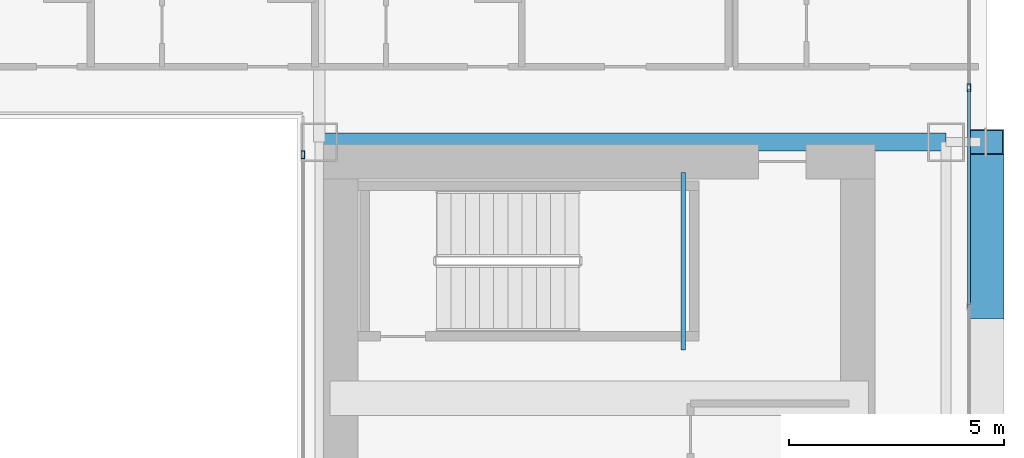
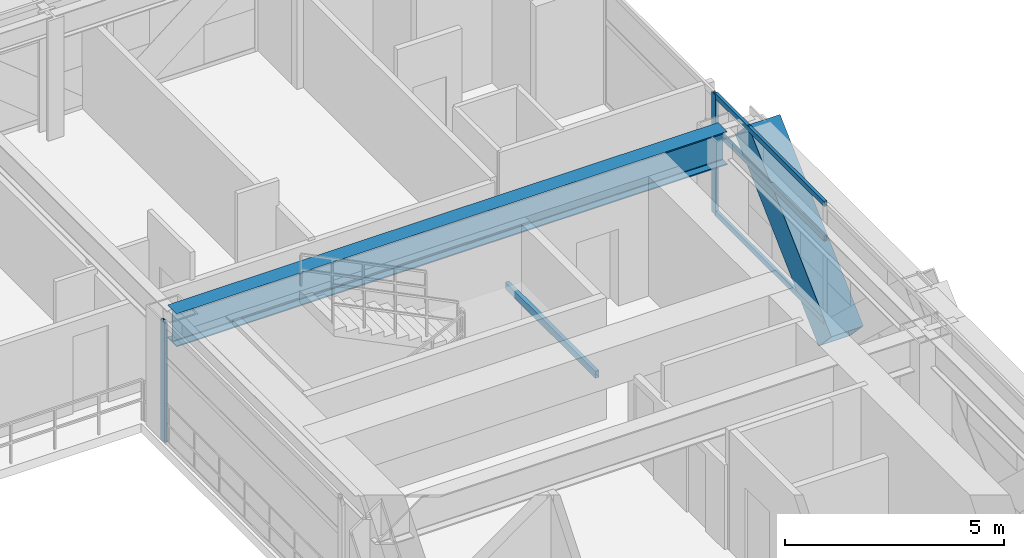
# One storey, part 23 of 41: 6 members, 2 beams, 2 elements without a shape of their own.
"""IFC4 building model written with IfcOpenShell, lengths in metres."""

from ifc_helpers import new_model, si_unit, direction, frame, origin, origin_2d, place, context, subcontext, project, spatial, hollow_rectangle, i_section, extrude, source, transform, mapped, material, layer, layer_set, material_profile, profile_set, type_object, element, aggregate, save


model = new_model("IFC4")

# Units and contexts
model_context = context("Model", 3, precision=1e-05, world=origin(), true_north=direction((0.0, 1.0)))
body_context = subcontext(model_context, "Body", "Model", "MODEL_VIEW")
ifc_project = project(units=[si_unit("LENGTHUNIT", "METRE"), si_unit("AREAUNIT", "SQUARE_METRE"), si_unit("VOLUMEUNIT", "CUBIC_METRE"), si_unit("PLANEANGLEUNIT", "RADIAN"), si_unit("MASSUNIT", "GRAM", prefix="KILO")], contexts=[model_context])

# Site, building, storey
site_placement = place(None, origin())
site = spatial("IfcSite", under=ifc_project, at=site_placement, CompositionType="ELEMENT")
building_placement = place(site_placement, origin())
building = spatial("IfcBuilding", under=site, at=building_placement, Name="Ocotamira Hotel", CompositionType="ELEMENT")
storey_placement = place(building_placement, frame((0.0, 0.0, 67.199951171875)))
storey = spatial("IfcBuildingStorey", under=building, at=storey_placement, Name="L16", CompositionType="ELEMENT", Elevation=67.199951171875)

# Beams
ifc_material_1 = material(Name="Steel ASTM A500 Grade C", Category="steel")
ifc_material_profile_1 = material_profile(ifc_material_1, hollow_rectangle(XDim=0.10009765625, YDim=0.199951171875, WallThickness=0.008056640625, at=origin_2d()), Name="HSS200X100X8")
ifc_profile_set_1 = profile_set([ifc_material_profile_1], Name="Steel ASTM A500 Grade C")
beam_type_1 = type_object("IfcBeamType", Name="BM-STLDG-HSS200", PredefinedType="BEAM", material=ifc_profile_set_1)
shared_shape_1 = source(origin(), body_context, "Body", "SweptSolid", [
    extrude(hollow_rectangle(XDim=0.10009765625, YDim=0.199951171875, WallThickness=0.008056640625, at=origin_2d()), origin(), (0.0, 0.0, 1.0), 4.1201171875),
])
beam_1_placement = place(storey_placement, frame((48.949951171875, 32.6298828125, 1.5), z_axis=(0.0, 1.0, 0.0), x_axis=(-1.0, 0.0, 0.0)))
element("IfcBeam", 1, at=beam_1_placement, inside=storey, type_object=beam_type_1, Name="L16 Stair ST-4 Landing Bearer 1", PredefinedType="BEAM", context=body_context, shape_type="MappedRepresentation", body=[
    mapped(shared_shape_1, transform((0.0, 0.0, 0.0), scale=1.0)),
])
ifc_material_2 = material(Name="Steel ASTM A992 Grade 50", Category="steel")
ifc_material_profile_2 = material_profile(ifc_material_2, i_section(OverallWidth=0.41796875, OverallDepth=0.927001953125, WebThickness=0.019287109375, FlangeThickness=0.031982421875, FilletRadius=0.02392578125, at=origin_2d()), Name="W36X231")
ifc_profile_set_2 = profile_set([ifc_material_profile_2], Name="Steel ASTM A992 Grade 50")
beam_type_2 = type_object("IfcBeamType", Name="BM-GIRD-W36X231", PredefinedType="BEAM", material=ifc_profile_set_2)
shared_shape_2 = source(origin(), body_context, "Body", "SweptSolid", [
    extrude(i_section(OverallWidth=0.41796875, OverallDepth=0.927001953125, WebThickness=0.019287109375, FlangeThickness=0.031982421875, FilletRadius=0.02392578125, at=origin_2d()), origin(), (0.0, 0.0, 1.0), 14.550048828125),
])
beam_2_placement = place(storey_placement, frame((40.5, 37.449951171875, 2.886474609375), z_axis=(1.0, 0.0, 0.0), x_axis=(0.0, 1.0, 0.0)))
element("IfcBeam", 2, at=beam_2_placement, inside=storey, type_object=beam_type_2, Name="L16 Girder Y37.45 X40.5-55.05", PredefinedType="BEAM", context=body_context, shape_type="MappedRepresentation", body=[
    mapped(shared_shape_2, transform((0.0, 0.0, 0.0), scale=1.0)),
])

# Member
ifc_material_3 = material(Name="Pale-metal coated steel ASTM A913 Grade 65", Category="steel")
ifc_material_profile_3 = material_profile(ifc_material_3, hollow_rectangle(XDim=0.85009765625, YDim=0.85009765625, WallThickness=0.035888671875, at=origin_2d()), Name="BOX850X850X36")
ifc_profile_set_3 = profile_set([ifc_material_profile_3], Name="Pale-metal coated steel ASTM A913 Grade 65")
member_type_1 = type_object("IfcMemberType", Name="MEM-EXO-BOX850", PredefinedType="BRACE", material=ifc_profile_set_3)
shared_shape_3 = source(origin(), body_context, "Body", "SweptSolid", [
    extrude(hollow_rectangle(XDim=0.85009765625, YDim=0.85009765625, WallThickness=0.035888671875, at=origin_2d()), origin(), (0.0, 0.0, 1.0), 5.24658203125),
])
member_1_placement = place(storey_placement, frame((55.969970703125, 33.63330078125, -0.5), z_axis=(0.0, 0.727442733726, 0.686168397078), x_axis=(-1.0, 0.0, 0.0)))
element("IfcMember", 3, at=member_1_placement, inside=storey, type_object=member_type_1, Name="L16 Exoskeleton Diagrid E2.2", PredefinedType="BRACE", context=body_context, shape_type="MappedRepresentation", body=[
    mapped(shared_shape_3, transform((0.0, 0.0, 0.0), scale=1.0)),
])

# Curtain wall, members
ifc_material_4 = material(Name="Anodised pale-metal aluminium and solar glass", Category="aluminium")
ifc_layer_1 = layer(ifc_material_4, 0.179931640625)
ifc_layer_set_1 = layer_set([ifc_layer_1], Name="Anodised pale-metal aluminium and solar glass")
curtain_wall_type_1 = type_object("IfcCurtainWallType", Name="CW-SYS2-Z1", PredefinedType="NOTDEFINED", material=ifc_layer_set_1)
curtain_wall_1_placement = place(storey_placement, origin())
curtain_wall_1 = element("IfcCurtainWall", 4, at=curtain_wall_1_placement, inside=storey, type_object=curtain_wall_type_1, Name="L16 Curtain Wall CW-2 CW-L16-E", PredefinedType="NOTDEFINED")
ifc_material_5 = material(Name="Anodised pale-metal aluminium 6063-T6", Category="aluminium")
ifc_material_profile_4 = material_profile(ifc_material_5, hollow_rectangle(XDim=0.074951171875, YDim=0.14990234375, WallThickness=0.006103515625, at=origin_2d()), Name="HSS150X75X6")
ifc_profile_set_4 = profile_set([ifc_material_profile_4], Name="Anodised pale-metal aluminium 6063-T6")
member_type_2 = type_object("IfcMemberType", Name="CWT-150X75", PredefinedType="USERDEFINED", material=ifc_profile_set_4)
shared_shape_4 = source(origin(), body_context, "Body", "SweptSolid", [
    extrude(hollow_rectangle(XDim=0.074951171875, YDim=0.14990234375, WallThickness=0.006103515625, at=origin_2d()), origin(), (0.0, 0.0, 1.0), 5.005859375),
])
member_2_placement = place(storey_placement, frame((55.580078125, 33.66845703125, 0.03759765625), z_axis=(0.0, 1.0, 0.0), x_axis=(-1.0, 0.0, 0.0)))
member_2 = element("IfcMember", 5, at=member_2_placement, type_object=member_type_2, Name="CW-2 transom 6.1", ObjectType="TRANSOM", PredefinedType="USERDEFINED", context=body_context, shape_type="MappedRepresentation", body=[
    mapped(shared_shape_4, transform((0.0, 0.0, 0.0), scale=1.0)),
])
member_3_placement = place(storey_placement, frame((55.580078125, 33.66845703125, 2.35009765625), z_axis=(0.0, 1.0, 0.0), x_axis=(-1.0, 0.0, 0.0)))
member_3 = element("IfcMember", 6, at=member_3_placement, type_object=member_type_2, Name="CW-2 transom 6.2", ObjectType="TRANSOM", PredefinedType="USERDEFINED", context=body_context, shape_type="MappedRepresentation", body=[
    mapped(shared_shape_4, transform((0.0, 0.0, 0.0), scale=1.0)),
])
member_4_placement = place(storey_placement, frame((55.580078125, 33.66845703125, 3.3125), z_axis=(0.0, 1.0, 0.0), x_axis=(-1.0, 0.0, 0.0)))
member_4 = element("IfcMember", 7, at=member_4_placement, type_object=member_type_2, Name="CW-2 transom 6.3", ObjectType="TRANSOM", PredefinedType="USERDEFINED", context=body_context, shape_type="MappedRepresentation", body=[
    mapped(shared_shape_4, transform((0.0, 0.0, 0.0), scale=1.0)),
])
ifc_material_profile_5 = material_profile(ifc_material_5, hollow_rectangle(XDim=0.080078125, YDim=0.179931640625, WallThickness=0.006103515625, at=origin_2d()), Name="HSS180X80X6")
ifc_profile_set_5 = profile_set([ifc_material_profile_5], Name="Anodised pale-metal aluminium 6063-T6")
member_type_3 = type_object("IfcMemberType", Name="CWM-180X75", PredefinedType="MULLION", material=ifc_profile_set_5)
shared_shape_5 = source(origin(), body_context, "Body", "SweptSolid", [
    extrude(hollow_rectangle(XDim=0.080078125, YDim=0.179931640625, WallThickness=0.006103515625, at=origin_2d()), origin(), (0.0, 0.0, 1.0), 3.35009765625),
])
member_5_placement = place(storey_placement, frame((55.580078125, 38.71435546875, 0.0), z_axis=(0.0, 0.0, 1.0), x_axis=(-1.0, 0.0, 0.0)))
member_5 = element("IfcMember", 8, at=member_5_placement, type_object=member_type_3, Name="CW-2 mullion 7", PredefinedType="MULLION", context=body_context, shape_type="MappedRepresentation", body=[
    mapped(shared_shape_5, transform((0.0, 0.0, 0.0), scale=1.0)),
])
aggregate(curtain_wall_1, [member_5, member_2, member_3, member_4])

# Curtain wall, member
ifc_layer_2 = layer(ifc_material_4, 0.159912109375)
ifc_layer_set_2 = layer_set([ifc_layer_2], Name="Anodised pale-metal aluminium and solar glass")
curtain_wall_type_2 = type_object("IfcCurtainWallType", Name="CW-SYS6-ATR", PredefinedType="NOTDEFINED", material=ifc_layer_set_2)
curtain_wall_2_placement = place(storey_placement, origin())
curtain_wall_2 = element("IfcCurtainWall", 9, at=curtain_wall_2_placement, inside=storey, type_object=curtain_wall_type_2, Name="L16 Curtain Wall CW-6 CW-L16-ATRE2", PredefinedType="NOTDEFINED")
member_6_placement = place(storey_placement, frame((40.1201171875, 37.159912109375, 0.0), z_axis=(0.0, 0.0, 1.0), x_axis=(-1.0, 0.0, 0.0)))
member_6 = element("IfcMember", 10, at=member_6_placement, type_object=member_type_3, Name="CW-6 mullion 2", PredefinedType="MULLION", context=body_context, shape_type="MappedRepresentation", body=[
    mapped(shared_shape_5, transform((0.0, 0.0, 0.0), scale=1.0)),
])
aggregate(curtain_wall_2, [member_6])

save(model, "model.ifc")
